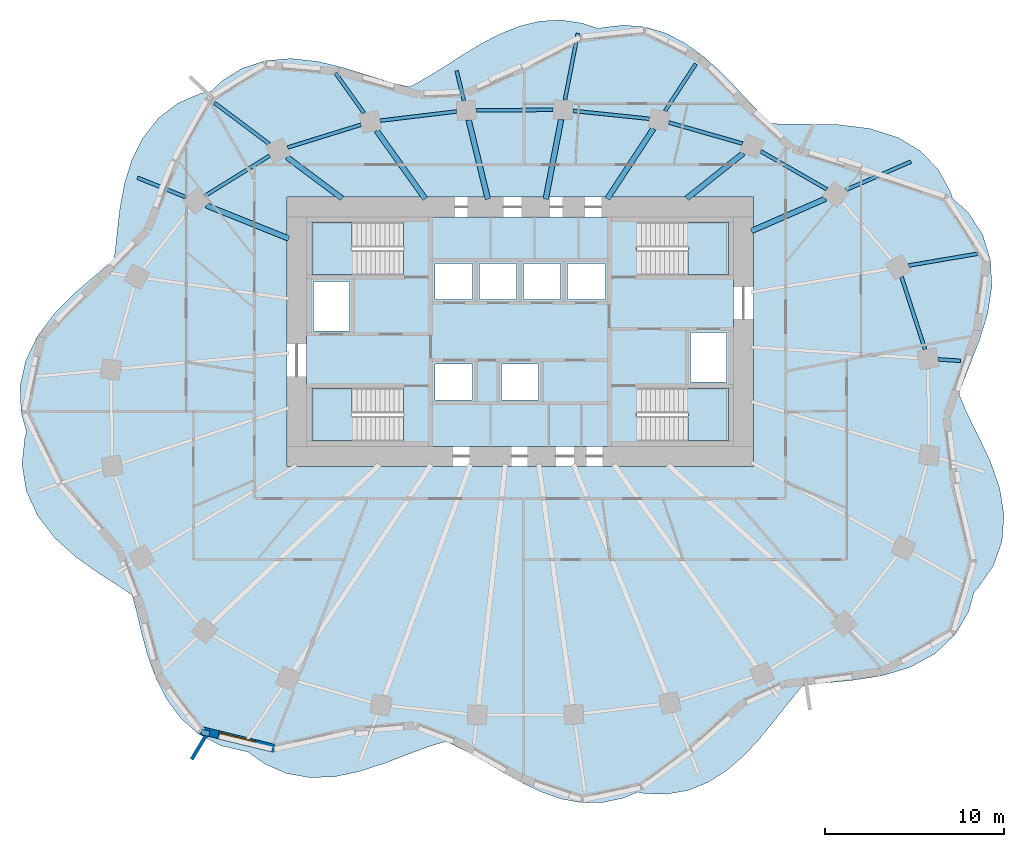
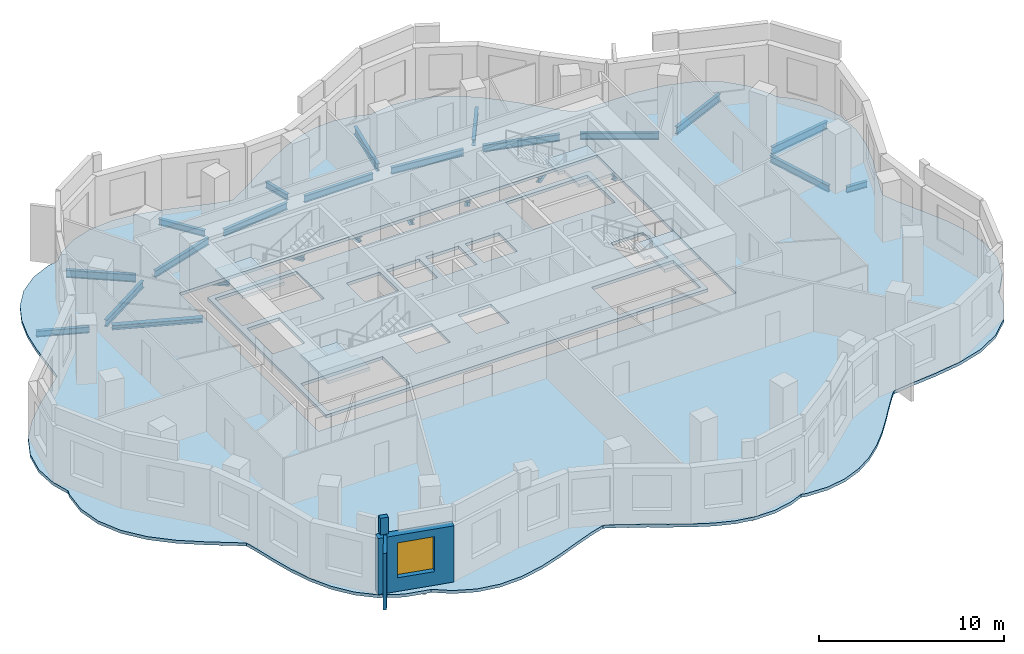
# One storey, part 2 of 10: 25 beams, 6 slabs, 3 walls, 1 window, 1 opening, 4 elements without a shape of their own.
"""IFC4 building model written with IfcOpenShell, lengths in metres."""

from ifc_helpers import new_model, si_unit, direction, frame, frame_2d, origin, origin_2d, place, context, subcontext, project, spatial, polyline, rectangle, i_section, outline, extrude, material, layer, layer_set, material_profile, profile_set, type_object, element, fill, aggregate, save


model = new_model("IFC4")

# Units and contexts
model_context = context("Model", 3, precision=1e-05, world=origin(), true_north=direction((0.0, 1.0)))
body_context = subcontext(model_context, "Body", "Model", "MODEL_VIEW")
ifc_project = project(units=[si_unit("LENGTHUNIT", "METRE"), si_unit("AREAUNIT", "SQUARE_METRE"), si_unit("VOLUMEUNIT", "CUBIC_METRE"), si_unit("PLANEANGLEUNIT", "RADIAN"), si_unit("MASSUNIT", "GRAM", prefix="KILO")], contexts=[model_context])

# Site, building, storey
site_placement = place(None, origin())
site = spatial("IfcSite", under=ifc_project, at=site_placement, CompositionType="ELEMENT")
building_placement = place(site_placement, origin())
building = spatial("IfcBuilding", under=site, at=building_placement, Name="Rubra Terraces Tower", CompositionType="ELEMENT")
storey_placement = place(building_placement, frame((0.0, 0.0, 153.89990234375)))
storey = spatial("IfcBuildingStorey", under=building, at=storey_placement, Name="L37", CompositionType="ELEMENT", Elevation=153.89990234375)

# Beams
ifc_material_1 = material(Name="Steel Q355B", Category="steel")
ifc_material_profile_1 = material_profile(ifc_material_1, i_section(OverallWidth=0.199951171875, OverallDepth=0.39990234375, WebThickness=0.008056640625, FlangeThickness=0.012939453125, at=origin_2d()), Name="HN 400x200x8x13")
ifc_profile_set_1 = profile_set([ifc_material_profile_1], Name="Steel Q355B")
beam_type_1 = type_object("IfcBeamType", Name="CANTILEVER BEAM HN 400x200x8x13", PredefinedType="BEAM", material=ifc_profile_set_1)
beam_1_placement = place(storey_placement, frame((8.076904296875, 16.803955078125, -0.39990234375), z_axis=(0.548937876401, 0.83586315139, 0.0), x_axis=(-0.83586315139, 0.548937876401, 0.0)))
element("IfcBeam", 1, at=beam_1_placement, inside=storey, type_object=beam_type_1, Name="beam-L37-cant-05", PredefinedType="BEAM", context=body_context, shape_type="SweptSolid", body=[
    extrude(i_section(OverallWidth=0.199951171875, OverallDepth=0.39990234375, WebThickness=0.008056640625, FlangeThickness=0.012939453125, at=origin_2d()), origin(), (0.0, 0.0, 1.0), 3.126220703125),
])
beam_2_placement = place(storey_placement, frame((-3.131103515625, 17.37890625, -0.39990234375), z_axis=(-0.23623101805, 0.971696920913, 0.0), x_axis=(-0.971696920913, -0.23623101805, 0.0)))
element("IfcBeam", 2, at=beam_2_placement, inside=storey, type_object=beam_type_1, Name="beam-L37-cant-07", PredefinedType="BEAM", context=body_context, shape_type="SweptSolid", body=[
    extrude(i_section(OverallWidth=0.199951171875, OverallDepth=0.39990234375, WebThickness=0.008056640625, FlangeThickness=0.012939453125, at=origin_2d()), origin(), (0.0, 0.0, 1.0), 1.705322265625),
])
beam_3_placement = place(storey_placement, frame((-8.695068359375, 16.679931640625, -0.39990234375), z_axis=(-0.581002903786, 0.813901484083, 0.0), x_axis=(-0.813901484083, -0.581002903786, 0.0)))
element("IfcBeam", 3, at=beam_3_placement, inside=storey, type_object=beam_type_1, Name="beam-L37-cant-08", PredefinedType="BEAM", context=body_context, shape_type="SweptSolid", body=[
    extrude(i_section(OverallWidth=0.199951171875, OverallDepth=0.39990234375, WebThickness=0.008056640625, FlangeThickness=0.012939453125, at=origin_2d()), origin(), (0.0, 0.0, 1.0), 2.74853515625),
])
beam_4_placement = place(storey_placement, frame((-18.6201171875, 11.991943359375, -0.39990234375), z_axis=(-0.927791895957, 0.373098107468, 0.0), x_axis=(-0.373098107468, -0.927791895957, 0.0)))
element("IfcBeam", 4, at=beam_4_placement, inside=storey, type_object=beam_type_1, Name="beam-L37-cant-10", PredefinedType="BEAM", context=body_context, shape_type="SweptSolid", body=[
    extrude(i_section(OverallWidth=0.199951171875, OverallDepth=0.39990234375, WebThickness=0.008056640625, FlangeThickness=0.012939453125, at=origin_2d()), origin(), (0.0, 0.0, 1.0), 2.907958984375),
])
ifc_material_profile_2 = material_profile(ifc_material_1, i_section(OverallWidth=0.198974609375, OverallDepth=0.49609375, WebThickness=0.009033203125, FlangeThickness=0.013916015625, at=origin_2d()), Name="HN 496x199x9x14")
ifc_profile_set_2 = profile_set([ifc_material_profile_2], Name="Steel Q355B")
beam_type_2 = type_object("IfcBeamType", Name="CANTILEVER BEAM HN 496x199x9x14", PredefinedType="BEAM", material=ifc_profile_set_2)
beam_5_placement = place(storey_placement, frame((21.656982421875, 8.18798828125, -0.447998046875), z_axis=(0.985806786827, 0.16788382604, 0.0), x_axis=(-0.16788382604, 0.985806786827, 0.0)))
element("IfcBeam", 5, at=beam_5_placement, inside=storey, type_object=beam_type_2, Name="beam-L37-cant-02", PredefinedType="BEAM", context=body_context, shape_type="SweptSolid", body=[
    extrude(i_section(OverallWidth=0.198974609375, OverallDepth=0.49609375, WebThickness=0.009033203125, FlangeThickness=0.013916015625, at=origin_2d()), origin(), (0.0, 0.0, 1.0), 3.88427734375),
])
beam_6_placement = place(storey_placement, frame((18.14990234375, 12.39697265625, -0.447998046875), z_axis=(0.916966850316, 0.398963401105, 0.0), x_axis=(-0.398963401105, 0.916966850316, 0.0)))
element("IfcBeam", 6, at=beam_6_placement, inside=storey, type_object=beam_type_2, Name="beam-L37-cant-03", PredefinedType="BEAM", context=body_context, shape_type="SweptSolid", body=[
    extrude(i_section(OverallWidth=0.198974609375, OverallDepth=0.49609375, WebThickness=0.009033203125, FlangeThickness=0.013916015625, at=origin_2d()), origin(), (0.0, 0.0, 1.0), 3.949951171875),
])
beam_7_placement = place(storey_placement, frame((2.498046875, 17.406982421875, -0.447998046875), z_axis=(0.189863542484, 0.981810488452, 0.0), x_axis=(-0.981810488452, 0.189863542484, 0.0)))
element("IfcBeam", 7, at=beam_7_placement, inside=storey, type_object=beam_type_2, Name="beam-L37-cant-06", PredefinedType="BEAM", context=body_context, shape_type="SweptSolid", body=[
    extrude(i_section(OverallWidth=0.198974609375, OverallDepth=0.49609375, WebThickness=0.009033203125, FlangeThickness=0.013916015625, at=origin_2d()), origin(), (0.0, 0.0, 1.0), 3.786865234375),
])
beam_8_placement = place(storey_placement, frame((-13.989013671875, 14.971923828125, -0.447998046875), z_axis=(-0.800563432958, 0.599248020281, 0.0), x_axis=(-0.599248020281, -0.800563432958, 0.0)))
element("IfcBeam", 8, at=beam_8_placement, inside=storey, type_object=beam_type_2, Name="beam-L37-cant-09", PredefinedType="BEAM", context=body_context, shape_type="SweptSolid", body=[
    extrude(i_section(OverallWidth=0.198974609375, OverallDepth=0.49609375, WebThickness=0.009033203125, FlangeThickness=0.013916015625, at=origin_2d()), origin(), (0.0, 0.0, 1.0), 3.79345703125),
])
ifc_material_profile_3 = material_profile(ifc_material_1, i_section(OverallWidth=0.199951171875, OverallDepth=0.39990234375, WebThickness=0.008056640625, FlangeThickness=0.012939453125, at=origin_2d()), Name="HN 400x200x8x13")
ifc_profile_set_3 = profile_set([ifc_material_profile_3], Name="Steel Q355B")
beam_type_3 = type_object("IfcBeamType", Name="CANTILEVER STUB HN 400x200x8x13", PredefinedType="BEAM", material=ifc_profile_set_3)
beam_9_placement = place(storey_placement, frame((23.298095703125, 2.9560546875, -0.39990234375), z_axis=(0.99781120572, -0.06612713316, 0.0), x_axis=(0.06612713316, 0.99781120572, 0.0)))
element("IfcBeam", 9, at=beam_9_placement, inside=storey, type_object=beam_type_3, Name="beam-L37-cant-01", PredefinedType="BEAM", context=body_context, shape_type="SweptSolid", body=[
    extrude(i_section(OverallWidth=0.199951171875, OverallDepth=0.39990234375, WebThickness=0.008056640625, FlangeThickness=0.012939453125, at=origin_2d()), origin(), (0.0, 0.0, 1.0), 1.240478515625),
])
ifc_material_profile_4 = material_profile(ifc_material_1, i_section(OverallWidth=0.304931640625, OverallDepth=0.300048828125, WebThickness=0.014892578125, FlangeThickness=0.014892578125, at=origin_2d()), Name="HW 300x305x15x15")
ifc_profile_set_4 = profile_set([ifc_material_profile_4], Name="Steel Q355B")
beam_type_4 = type_object("IfcBeamType", Name="FLOOR BEAM HW 300x305x15x15", PredefinedType="BEAM", material=ifc_profile_set_4)
beam_10_placement = place(storey_placement, frame((17.01806640625, 11.905029296875, -0.349853515625), z_axis=(-0.916965704309, -0.398966035047, 0.0), x_axis=(0.398966035047, -0.916965704309, 0.0)))
element("IfcBeam", 10, at=beam_10_placement, inside=storey, type_object=beam_type_4, Name="beam-L37-floor-03", PredefinedType="BEAM", context=body_context, shape_type="SweptSolid", body=[
    extrude(i_section(OverallWidth=0.304931640625, OverallDepth=0.300048828125, WebThickness=0.014892578125, FlangeThickness=0.014892578125, at=origin_2d()), origin(), (0.0, 0.0, 1.0), 4.501953125),
])
beam_11_placement = place(storey_placement, frame((12.43798828125, 14.44091796875, -0.349853515625), z_axis=(-0.781170160898, -0.624318171867, 0.0), x_axis=(0.624318171867, -0.781170160898, 0.0)))
element("IfcBeam", 11, at=beam_11_placement, inside=storey, type_object=beam_type_4, Name="beam-L37-floor-04", PredefinedType="BEAM", context=body_context, shape_type="SweptSolid", body=[
    extrude(i_section(OverallWidth=0.304931640625, OverallDepth=0.300048828125, WebThickness=0.014892578125, FlangeThickness=0.014892578125, at=origin_2d()), origin(), (0.0, 0.0, 1.0), 4.02978515625),
])
beam_12_placement = place(storey_placement, frame((7.425048828125, 15.81005859375, -0.349853515625), z_axis=(-0.548820601732, -0.835940157616, 0.0), x_axis=(0.835940157616, -0.548820601732, 0.0)))
element("IfcBeam", 12, at=beam_12_placement, inside=storey, type_object=beam_type_4, Name="beam-L37-floor-05", PredefinedType="BEAM", context=body_context, shape_type="SweptSolid", body=[
    extrude(i_section(OverallWidth=0.304931640625, OverallDepth=0.300048828125, WebThickness=0.014892578125, FlangeThickness=0.014892578125, at=origin_2d()), origin(), (0.0, 0.0, 1.0), 4.677490234375),
])
beam_13_placement = place(storey_placement, frame((2.285888671875, 16.31689453125, -0.349853515625), z_axis=(-0.189927794489, -0.981798061151, 0.0), x_axis=(0.981798061151, -0.189927794489, 0.0)))
element("IfcBeam", 13, at=beam_13_placement, inside=storey, type_object=beam_type_4, Name="beam-L37-floor-06", PredefinedType="BEAM", context=body_context, shape_type="SweptSolid", body=[
    extrude(i_section(OverallWidth=0.304931640625, OverallDepth=0.300048828125, WebThickness=0.014892578125, FlangeThickness=0.014892578125, at=origin_2d()), origin(), (0.0, 0.0, 1.0), 4.51708984375),
])
beam_14_placement = place(storey_placement, frame((-2.866943359375, 16.29296875, -0.349853515625), z_axis=(0.236214306521, -0.971700983531, 0.0), x_axis=(0.971700983531, 0.236214306521, 0.0)))
element("IfcBeam", 14, at=beam_14_placement, inside=storey, type_object=beam_type_4, Name="beam-L37-floor-07", PredefinedType="BEAM", context=body_context, shape_type="SweptSolid", body=[
    extrude(i_section(OverallWidth=0.304931640625, OverallDepth=0.300048828125, WebThickness=0.014892578125, FlangeThickness=0.014892578125, at=origin_2d()), origin(), (0.0, 0.0, 1.0), 4.538330078125),
])
beam_15_placement = place(storey_placement, frame((-7.9990234375, 15.7041015625, -0.349853515625), z_axis=(0.581010755177, -0.813895879317, 0.0), x_axis=(0.813895879317, 0.581010755177, 0.0)))
element("IfcBeam", 15, at=beam_15_placement, inside=storey, type_object=beam_type_4, Name="beam-L37-floor-08", PredefinedType="BEAM", context=body_context, shape_type="SweptSolid", body=[
    extrude(i_section(OverallWidth=0.304931640625, OverallDepth=0.300048828125, WebThickness=0.014892578125, FlangeThickness=0.014892578125, at=origin_2d()), origin(), (0.0, 0.0, 1.0), 4.67138671875),
])
beam_16_placement = place(storey_placement, frame((-12.985107421875, 14.219970703125, -0.349853515625), z_axis=(0.800566460925, -0.599243975057, 0.0), x_axis=(0.599243975057, 0.800566460925, 0.0)))
element("IfcBeam", 16, at=beam_16_placement, inside=storey, type_object=beam_type_4, Name="beam-L37-floor-09", PredefinedType="BEAM", context=body_context, shape_type="SweptSolid", body=[
    extrude(i_section(OverallWidth=0.304931640625, OverallDepth=0.300048828125, WebThickness=0.014892578125, FlangeThickness=0.014892578125, at=origin_2d()), origin(), (0.0, 0.0, 1.0), 3.82470703125),
])
beam_17_placement = place(storey_placement, frame((-17.48193359375, 11.533935546875, -0.349853515625), z_axis=(0.927730023822, -0.373251929533, 0.0), x_axis=(0.373251929533, 0.927730023822, 0.0)))
element("IfcBeam", 17, at=beam_17_placement, inside=storey, type_object=beam_type_4, Name="beam-L37-floor-10", PredefinedType="BEAM", context=body_context, shape_type="SweptSolid", body=[
    extrude(i_section(OverallWidth=0.304931640625, OverallDepth=0.300048828125, WebThickness=0.014892578125, FlangeThickness=0.014892578125, at=origin_2d()), origin(), (0.0, 0.0, 1.0), 4.950927734375),
])
ifc_material_profile_5 = material_profile(ifc_material_1, i_section(OverallWidth=0.198974609375, OverallDepth=0.446044921875, WebThickness=0.008056640625, FlangeThickness=0.011962890625, at=origin_2d()), Name="HN 446x199x8x12")
ifc_profile_set_5 = profile_set([ifc_material_profile_5], Name="Steel Q355B")
beam_type_5 = type_object("IfcBeamType", Name="SPANDREL BEAM HN 446x199x8x12", PredefinedType="SPANDREL", material=ifc_profile_set_5)
beam_18_placement = place(storey_placement, frame((22.56201171875, 3.52197265625, -0.4228515625), z_axis=(-0.308462461648, 0.951236516201, 0.0), x_axis=(-0.951236516201, -0.308462461648, 0.0)))
element("IfcBeam", 18, at=beam_18_placement, inside=storey, type_object=beam_type_5, Name="beam-L37-spandrel-01", PredefinedType="SPANDREL", context=body_context, shape_type="SweptSolid", body=[
    extrude(i_section(OverallWidth=0.198974609375, OverallDepth=0.446044921875, WebThickness=0.008056640625, FlangeThickness=0.011962890625, at=origin_2d()), origin(), (0.0, 0.0, 1.0), 4.24072265625),
])
beam_19_placement = place(storey_placement, frame((17.10009765625, 12.428955078125, -0.4228515625), z_axis=(-0.866560147027, 0.49907265161, 0.0), x_axis=(-0.49907265161, -0.866560147027, 0.0)))
element("IfcBeam", 19, at=beam_19_placement, inside=storey, type_object=beam_type_5, Name="beam-L37-spandrel-03", PredefinedType="SPANDREL", context=body_context, shape_type="SweptSolid", body=[
    extrude(i_section(OverallWidth=0.198974609375, OverallDepth=0.446044921875, WebThickness=0.008056640625, FlangeThickness=0.011962890625, at=origin_2d()), origin(), (0.0, 0.0, 1.0), 4.26171875),
])
beam_20_placement = place(storey_placement, frame((12.39404296875, 14.98388671875, -0.4228515625), z_axis=(-0.961693978406, 0.274125321518, 0.0), x_axis=(-0.274125321518, -0.961693978406, 0.0)))
element("IfcBeam", 20, at=beam_20_placement, inside=storey, type_object=beam_type_5, Name="beam-L37-spandrel-04", PredefinedType="SPANDREL", context=body_context, shape_type="SweptSolid", body=[
    extrude(i_section(OverallWidth=0.198974609375, OverallDepth=0.446044921875, WebThickness=0.008056640625, FlangeThickness=0.011962890625, at=origin_2d()), origin(), (0.0, 0.0, 1.0), 4.27587890625),
])
beam_21_placement = place(storey_placement, frame((7.201904296875, 16.364013671875, -0.4228515625), z_axis=(-0.994691190497, 0.102904983103, 0.0), x_axis=(-0.102904983103, -0.994691190497, 0.0)))
element("IfcBeam", 21, at=beam_21_placement, inside=storey, type_object=beam_type_5, Name="beam-L37-spandrel-05", PredefinedType="SPANDREL", context=body_context, shape_type="SweptSolid", body=[
    extrude(i_section(OverallWidth=0.198974609375, OverallDepth=0.446044921875, WebThickness=0.008056640625, FlangeThickness=0.011962890625, at=origin_2d()), origin(), (0.0, 0.0, 1.0), 4.28466796875),
])
beam_22_placement = place(storey_placement, frame((1.841064453125, 16.85888671875, -0.4228515625), z_axis=(-0.999989371096, -0.004610606731, 0.0), x_axis=(0.004610606731, -0.999989371096, 0.0)))
element("IfcBeam", 22, at=beam_22_placement, inside=storey, type_object=beam_type_5, Name="beam-L37-spandrel-06", PredefinedType="SPANDREL", context=body_context, shape_type="SweptSolid", body=[
    extrude(i_section(OverallWidth=0.198974609375, OverallDepth=0.446044921875, WebThickness=0.008056640625, FlangeThickness=0.011962890625, at=origin_2d()), origin(), (0.0, 0.0, 1.0), 4.2890625),
])
beam_23_placement = place(storey_placement, frame((-3.5458984375, 16.77001953125, -0.4228515625), z_axis=(-0.992833084949, -0.119509269223, 0.0), x_axis=(0.119509269223, -0.992833084949, 0.0)))
element("IfcBeam", 23, at=beam_23_placement, inside=storey, type_object=beam_type_5, Name="beam-L37-spandrel-07", PredefinedType="SPANDREL", context=body_context, shape_type="SweptSolid", body=[
    extrude(i_section(OverallWidth=0.198974609375, OverallDepth=0.446044921875, WebThickness=0.008056640625, FlangeThickness=0.011962890625, at=origin_2d()), origin(), (0.0, 0.0, 1.0), 4.283935546875),
])
beam_24_placement = place(storey_placement, frame((-8.8740234375, 16.028076171875, -0.4228515625), z_axis=(-0.955002801089, -0.296596780008, 0.0), x_axis=(0.296596780008, -0.955002801089, 0.0)))
element("IfcBeam", 24, at=beam_24_placement, inside=storey, type_object=beam_type_5, Name="beam-L37-spandrel-08", PredefinedType="SPANDREL", context=body_context, shape_type="SweptSolid", body=[
    extrude(i_section(OverallWidth=0.198974609375, OverallDepth=0.446044921875, WebThickness=0.008056640625, FlangeThickness=0.011962890625, at=origin_2d()), origin(), (0.0, 0.0, 1.0), 4.275390625),
])
beam_25_placement = place(storey_placement, frame((-13.9580078125, 14.303955078125, -0.4228515625), z_axis=(-0.849549830498, -0.527508374816, 0.0), x_axis=(0.527508374816, -0.849549830498, 0.0)))
element("IfcBeam", 25, at=beam_25_placement, inside=storey, type_object=beam_type_5, Name="beam-L37-spandrel-09", PredefinedType="SPANDREL", context=body_context, shape_type="SweptSolid", body=[
    extrude(i_section(OverallWidth=0.198974609375, OverallDepth=0.446044921875, WebThickness=0.008056640625, FlangeThickness=0.011962890625, at=origin_2d()), origin(), (0.0, 0.0, 1.0), 4.259765625),
])

# Slab
ifc_material_2 = material(Name="Concrete C40", Category="concrete")
ifc_layer_1 = layer(ifc_material_2, 0.199951171875)
ifc_layer_set_1 = layer_set([ifc_layer_1], Name="Concrete C40")
slab_type_1 = type_object("IfcSlabType", Name="Core floor slab 200 concrete", PredefinedType="FLOOR", material=ifc_layer_set_1)
slab_1_placement = place(storey_placement, frame((0.0, 0.0, -0.199951171875)))
element("IfcSlab", 26, at=slab_1_placement, inside=storey, type_object=slab_type_1, Name="CORE FLOOR SLAB L37", PredefinedType="FLOOR", context=body_context, shape_type="SweptSolid", body=[
    extrude(outline(polyline([(-11.89990234375, -1.89990234375), (-11.89990234375, 10.89990234375), (11.89990234375, 10.89990234375), (11.89990234375, -1.89990234375), (-11.89990234375, -1.89990234375)]), holes=[polyline([(11.597900390625, 1.347900390625), (6.501953125, 1.347900390625), (6.501953125, -1.597900390625), (11.597900390625, -1.597900390625), (11.597900390625, 1.347900390625)]), polyline([(11.597900390625, 7.652099609375), (11.597900390625, 10.597900390625), (6.501953125, 10.597900390625), (6.501953125, 7.652099609375), (11.597900390625, 7.652099609375)]), polyline([(9.5, 1.699951171875), (11.5, 1.699951171875), (11.5, 4.449951171875), (9.5, 4.449951171875), (9.5, 1.699951171875)]), polyline([(4.75, 6.300048828125), (4.75, 8.300048828125), (2.64990234375, 8.300048828125), (2.64990234375, 6.300048828125), (4.75, 6.300048828125)]), polyline([(2.25, 8.300048828125), (0.199951171875, 8.300048828125), (0.199951171875, 6.300048828125), (2.25, 6.300048828125), (2.25, 8.300048828125)]), polyline([(1.02490234375, 0.699951171875), (1.02490234375, 2.699951171875), (-1.02490234375, 2.699951171875), (-1.02490234375, 0.699951171875), (1.02490234375, 0.699951171875)]), polyline([(-0.199951171875, 6.300048828125), (-0.199951171875, 8.300048828125), (-2.25, 8.300048828125), (-2.25, 6.300048828125), (-0.199951171875, 6.300048828125)]), polyline([(-4.75, 8.300048828125), (-4.75, 6.300048828125), (-2.64990234375, 6.300048828125), (-2.64990234375, 8.300048828125), (-4.75, 8.300048828125)]), polyline([(-2.64990234375, 0.699951171875), (-2.64990234375, 2.699951171875), (-4.75, 2.699951171875), (-4.75, 0.699951171875), (-2.64990234375, 0.699951171875)]), polyline([(-11.597900390625, -1.597900390625), (-6.501953125, -1.597900390625), (-6.501953125, 1.347900390625), (-11.597900390625, 1.347900390625), (-11.597900390625, -1.597900390625)]), polyline([(-11.597900390625, 10.597900390625), (-11.597900390625, 7.652099609375), (-6.501953125, 7.652099609375), (-6.501953125, 10.597900390625), (-11.597900390625, 10.597900390625)]), polyline([(-9.5, 4.550048828125), (-9.5, 7.300048828125), (-11.5, 7.300048828125), (-11.5, 4.550048828125), (-9.5, 4.550048828125)])]), origin(), (0.0, 0.0, 1.0), 0.199951171875),
])

# Stair, slab
stair_type = type_object("IfcStairType", Name="Core stair 1400", PredefinedType="HALF_TURN_STAIR", material=ifc_material_2)
stair_1_placement = place(storey_placement, origin())
stair_1 = element("IfcStair", 27, at=stair_1_placement, inside=storey, type_object=stair_type, Name="L37 Exit stair S1", PredefinedType="HALF_TURN_STAIR")
ifc_layer_2 = layer(ifc_material_2, 0.199951171875)
ifc_layer_set_2 = layer_set([ifc_layer_2], Name="Concrete C40")
slab_type_2 = type_object("IfcSlabType", Name="Core stair landing 200", PredefinedType="LANDING", material=ifc_layer_set_2)
slab_2_placement = place(storey_placement, frame((0.0, 0.0, 1.75)))
slab_2 = element("IfcSlab", 28, at=slab_2_placement, type_object=slab_type_2, Name="S1 landing 1", PredefinedType="LANDING", context=body_context, shape_type="SweptSolid", body=[
    extrude(outline(polyline([(-8.97998046875, -0.199951171875), (-8.97998046875, -1.60009765625), (-9.360107421875, -1.60009765625), (-9.3798828125, -1.60009765625), (-11.60009765625, -1.60009765625), (-11.60009765625, 1.35009765625), (-9.3798828125, 1.35009765625), (-9.35791015625, 1.35009765625), (-9.35791015625, -0.050048828125), (-9.360107421875, -0.050048828125), (-9.360107421875, -0.199951171875), (-8.97998046875, -0.199951171875)])), origin(), (0.0, 0.0, 1.0), 0.2001953125),
])
aggregate(stair_1, [slab_2])

stair_2_placement = place(storey_placement, origin())
stair_2 = element("IfcStair", 29, at=stair_2_placement, inside=storey, type_object=stair_type, Name="L37 Exit stair S2", PredefinedType="HALF_TURN_STAIR")
slab_3_placement = place(storey_placement, frame((0.0, 0.0, 1.75)))
slab_3 = element("IfcSlab", 30, at=slab_3_placement, type_object=slab_type_2, Name="S2 landing 1", PredefinedType="LANDING", context=body_context, shape_type="SweptSolid", body=[
    extrude(outline(polyline([(-8.97998046875, 9.050048828125), (-8.97998046875, 7.64990234375), (-9.3798828125, 7.64990234375), (-11.60009765625, 7.64990234375), (-11.60009765625, 10.60009765625), (-9.3798828125, 10.60009765625), (-9.360107421875, 10.60009765625), (-9.35791015625, 10.60009765625), (-9.35791015625, 9.199951171875), (-9.360107421875, 9.199951171875), (-9.360107421875, 9.050048828125), (-8.97998046875, 9.050048828125)])), origin(), (0.0, 0.0, 1.0), 0.2001953125),
])
aggregate(stair_2, [slab_3])

stair_3_placement = place(storey_placement, origin())
stair_3 = element("IfcStair", 31, at=stair_3_placement, inside=storey, type_object=stair_type, Name="L37 Exit stair S3", PredefinedType="HALF_TURN_STAIR")
slab_4_placement = place(storey_placement, frame((0.0, 0.0, 1.75)))
slab_4 = element("IfcSlab", 32, at=slab_4_placement, type_object=slab_type_2, Name="S3 landing 1", PredefinedType="LANDING", context=body_context, shape_type="SweptSolid", body=[
    extrude(outline(polyline([(9.360107421875, 9.050048828125), (9.360107421875, 9.199951171875), (8.97998046875, 9.199951171875), (8.97998046875, 10.60009765625), (9.360107421875, 10.60009765625), (9.3798828125, 10.60009765625), (11.60009765625, 10.60009765625), (11.60009765625, 7.64990234375), (9.3798828125, 7.64990234375), (9.35791015625, 7.64990234375), (9.35791015625, 9.050048828125), (9.360107421875, 9.050048828125)])), origin(), (0.0, 0.0, 1.0), 0.2001953125),
])
aggregate(stair_3, [slab_4])

stair_4_placement = place(storey_placement, origin())
stair_4 = element("IfcStair", 33, at=stair_4_placement, inside=storey, type_object=stair_type, Name="L37 Exit stair S4", PredefinedType="HALF_TURN_STAIR")
slab_5_placement = place(storey_placement, frame((0.0, 0.0, 1.75)))
slab_5 = element("IfcSlab", 34, at=slab_5_placement, type_object=slab_type_2, Name="S4 landing 1", PredefinedType="LANDING", context=body_context, shape_type="SweptSolid", body=[
    extrude(outline(polyline([(9.360107421875, -0.199951171875), (9.360107421875, -0.050048828125), (8.97998046875, -0.050048828125), (8.97998046875, 1.35009765625), (9.360107421875, 1.35009765625), (9.3798828125, 1.35009765625), (11.60009765625, 1.35009765625), (11.60009765625, -1.60009765625), (9.3798828125, -1.60009765625), (9.360107421875, -1.60009765625), (9.35791015625, -1.60009765625), (9.35791015625, -0.199951171875), (9.360107421875, -0.199951171875)])), origin(), (0.0, 0.0, 1.0), 0.2001953125),
])
aggregate(stair_4, [slab_5])

# Slab
ifc_layer_3 = layer(ifc_material_2, 0.199951171875)
ifc_layer_set_3 = layer_set([ifc_layer_3], Name="Concrete C40")
slab_type_3 = type_object("IfcSlabType", Name="FLOOR SLAB 200 COMPOSITE", PredefinedType="FLOOR", material=ifc_layer_set_3)
slab_6_placement = place(storey_placement, frame((0.0, 0.0, -0.199951171875)))
element("IfcSlab", 35, at=slab_6_placement, inside=storey, type_object=slab_type_3, Name="FLOOR SLAB L37", PredefinedType="FLOOR", context=body_context, shape_type="SweptSolid", body=[
    extrude(outline(polyline([(-5.048095703125, -18.60888671875), (-4.14111328125, -18.340087890625), (-3.931884765625, -18.422119140625), (-2.991943359375, -18.889892578125), (-2.012939453125, -19.44091796875), (-1.013916015625, -20.02294921875), (0.0, -20.5869140625), (1.131103515625, -21.134033203125), (2.281005859375, -21.5400390625), (3.445068359375, -21.751953125), (4.596923828125, -21.739990234375), (5.73291015625, -21.5), (6.56201171875, -21.157958984375), (6.89892578125, -21.23291015625), (8.137939453125, -21.279052734375), (9.344970703125, -21.069091796875), (10.498046875, -20.60302734375), (11.498046875, -19.965087890625), (12.424072265625, -19.1708984375), (13.27392578125, -18.27001953125), (14.05908203125, -17.320068359375), (14.794921875, -16.381103515625), (15.506103515625, -15.506103515625), (15.75390625, -15.242919921875), (16.818115234375, -15.093994140625), (18.468994140625, -14.93701171875), (20.19189453125, -14.669921875), (21.739013671875, -14.201904296875), (23.134033203125, -13.43896484375), (24.260986328125, -12.362060546875), (24.98291015625, -11.135986328125), (25.31591796875, -9.965087890625), (25.468017578125, -9.8359375), (26.367919921875, -8.56689453125), (26.85693359375, -7.18896484375), (26.966064453125, -5.718017578125), (26.72998046875, -4.23388671875), (26.214111328125, -2.748046875), (25.550048828125, -1.343017578125), (24.883056640625, 0.0), (24.466064453125, 1.011962890625), (24.544921875, 1.305908203125), (25.05908203125, 2.64111328125), (25.614990234375, 4.056884765625), (26.06005859375, 5.510009765625), (26.291015625, 7.01806640625), (26.2109375, 8.51611328125), (25.76708984375, 9.925048828125), (24.9599609375, 11.156005859375), (24.094970703125, 11.927001953125), (24.011962890625, 12.235107421875), (23.31494140625, 13.51611328125), (22.318115234375, 14.55810546875), (21.076904296875, 15.31298828125), (19.4560546875, 15.825927734375), (17.7470703125, 16.032958984375), (16.06103515625, 16.06103515625), (14.5869140625, 16.06494140625), (13.9580078125, 16.114013671875), (14.306884765625, 15.7880859375), (13.486083984375, 16.553955078125), (12.658935546875, 17.424072265625), (11.868896484375, 18.27294921875), (11.032958984375, 19.117919921875), (10.14208984375, 19.905029296875), (9.14306640625, 20.613037109375), (8.0849609375, 21.14990234375), (6.97900390625, 21.47900390625), (5.77294921875, 21.5830078125), (4.552978515625, 21.43994140625), (4.367919921875, 21.385009765625), (3.43701171875, 21.697998046875), (2.2880859375, 21.867919921875), (1.136962890625, 21.80908203125), (0.0, 21.537109375), (-1.06689453125, 21.115966796875), (-2.1240234375, 20.571044921875), (-3.159912109375, 19.948974609375), (-4.10400390625, 19.344970703125), (-5.02587890625, 18.76611328125), (-5.930908203125, 18.2529296875), (-6.173095703125, 18.14208984375), (-7.123046875, 18.365966796875), (-8.426025390625, 18.77001953125), (-9.780029296875, 19.194091796875), (-11.27392578125, 19.56005859375), (-12.77490234375, 19.721923828125), (-14.23388671875, 19.592041015625), (-15.471923828125, 19.18310546875), (-16.589111328125, 18.493896484375), (-17.555908203125, 17.555908203125), (-17.217041015625, 17.885009765625), (-17.787109375, 17.787109375), (-19.06201171875, 17.238037109375), (-20.157958984375, 16.39111328125), (-21.032958984375, 15.281982421875), (-21.64404296875, 14.050048828125), (-22.053955078125, 12.718994140625), (-22.302978515625, 11.364013671875), (-22.466064453125, 9.93701171875), (-22.610107421875, 8.616943359375), (-22.625, 8.532958984375), (-23.623046875, 7.676025390625), (-24.782958984375, 6.68310546875), (-25.9169921875, 5.549072265625), (-26.887939453125, 4.259033203125), (-27.554931640625, 2.8779296875), (-27.867919921875, 1.43408203125), (-27.806884765625, 0.0), (-27.49609375, -1.10595703125), (-27.60400390625, -1.422119140625), (-27.758056640625, -2.89501953125), (-27.52001953125, -4.35888671875), (-26.89306640625, -5.7451171875), (-25.94091796875, -6.986083984375), (-24.77099609375, -8.048095703125), (-23.404052734375, -9.012939453125), (-22.091064453125, -9.84912109375), (-21.6201171875, -10.18310546875), (-21.419921875, -10.9140625), (-21.1298828125, -12.15087890625), (-20.782958984375, -13.4541015625), (-20.31689453125, -14.761962890625), (-19.697021484375, -15.98193359375), (-18.89697265625, -17.056884765625), (-17.919921875, -17.919921875), (-16.65087890625, -18.5810546875), (-15.242919921875, -18.908935546875), (-15.176025390625, -18.909912109375), (-14.23388671875, -19.591064453125), (-13.013916015625, -20.12109375), (-11.705078125, -20.35302734375), (-10.344970703125, -20.302978515625), (-8.930908203125, -20.007080078125), (-7.535888671875, -19.549072265625), (-6.18310546875, -19.029052734375), (-5.048095703125, -18.60888671875)]), holes=[polyline([(13.0, 12.0), (13.0, -3.0), (-13.0, -3.0), (-13.0, 12.0), (13.0, 12.0)])]), origin(), (0.0, 0.0, 1.0), 0.199951171875),
])

# Wall, opening, window
ifc_material_3 = material(Name="Brick masonry red-brown", Category="masonry")
ifc_layer_4 = layer(ifc_material_3, 0.449951171875)
ifc_layer_set_4 = layer_set([ifc_layer_4], Name="Brick masonry red-brown")
wall_type_1 = type_object("IfcWallType", Name="Brick facade wall 450", PredefinedType="SOLIDWALL", material=ifc_layer_set_4)
wall_1_placement = place(storey_placement, frame((-17.86669921875, -17.701416015625, 0.0), z_axis=(0.0, 0.0, 1.0), x_axis=(0.971546885012, -0.236847314156, 0.0)))
wall_1 = element("IfcWall", 36, at=wall_1_placement, inside=storey, type_object=wall_type_1, Name="Facade wall L37 bay 26", PredefinedType="SOLIDWALL", context=body_context, shape_type="SweptSolid", body=[
    extrude(rectangle(XDim=4.284912109375, YDim=0.449951171875, at=frame_2d((2.142578125, 0.0))), origin(), (0.0, 0.0, 1.0), 3.7001953125),
])
opening_placement = place(wall_1_placement, frame((1.092529296875, 0.0, 0.89990234375)))
opening = element("IfcOpeningElement", 37, at=opening_placement, cuts=wall_1, Name="Opening W1B", PredefinedType="OPENING", context=body_context, shape_type="SweptSolid", body=[
    extrude(rectangle(XDim=2.10009765625, YDim=2.300048828125, at=frame_2d((1.050048828125, 1.14990234375))), frame((0.0, 0.23486328125, 0.0), z_axis=(0.0, -1.0, 0.0), x_axis=(1.0, 0.0, 0.0)), (0.0, 0.0, 1.0), 0.469970703125),
])
ifc_material_4 = material(Name="Clear glass in aluminium frame", Category="aluminium")
window_type = type_object("IfcWindowType", Name="Fixed deep-set window tall storey 2100 x 2300", PartitioningType="SINGLE_PANEL", PredefinedType="WINDOW", material=ifc_material_4)
window_placement = place(opening_placement, origin())
window = element("IfcWindow", 38, at=window_placement, inside=storey, type_object=window_type, Name="Window L37 bay 26", OverallHeight=2.300048828125, OverallWidth=2.10009765625, PartitioningType="SINGLE_PANEL", PredefinedType="WINDOW", context=body_context, shape_type="SweptSolid", body=[
    extrude(rectangle(XDim=2.10009765625, YDim=2.300048828125, at=frame_2d((1.050048828125, 1.14990234375))), frame((0.0, 0.135009765625, 0.0), z_axis=(0.0, -1.0, 0.0), x_axis=(1.0, 0.0, 0.0)), (0.0, 0.0, 1.0), 0.06005859375),
])
fill(opening, window)

# Walls
ifc_layer_5 = layer(ifc_material_3, 0.300048828125)
ifc_layer_set_5 = layer_set([ifc_layer_5], Name="Brick masonry red-brown")
wall_type_2 = type_object("IfcWallType", Name="Brick parapet 300", PredefinedType="PARAPET", material=ifc_layer_set_5)
wall_2_placement = place(storey_placement, frame((-17.751708984375, -17.806640625, 3.900146484375), z_axis=(0.0, 0.0, 1.0), x_axis=(0.971563012878, -0.236781147912, 0.0)))
element("IfcWall", 39, at=wall_2_placement, inside=storey, type_object=wall_type_2, Name="Parapet L37 bay 26", PredefinedType="PARAPET", context=body_context, shape_type="SweptSolid", body=[
    extrude(rectangle(XDim=0.449462890625, YDim=0.300048828125, at=frame_2d((0.224609375, 0.0))), origin(), (0.0, 0.0, 1.0), 1.099853515625),
])
ifc_layer_6 = layer(ifc_material_3, 0.199951171875)
ifc_layer_set_6 = layer_set([ifc_layer_6], Name="Brick masonry red-brown")
wall_type_3 = type_object("IfcWallType", Name="Brick wind fin 200", PredefinedType="SOLIDWALL", material=ifc_layer_set_6)
wall_3_placement = place(storey_placement, frame((-17.406005859375, -17.8349609375, 0.0), z_axis=(0.0, 0.0, 1.0), x_axis=(-0.512648290506, -0.858598701514, 0.0)))
element("IfcWall", 40, at=wall_3_placement, inside=storey, type_object=wall_type_3, Name="Wind fin L37 13", PredefinedType="SOLIDWALL", context=body_context, shape_type="SweptSolid", body=[
    extrude(rectangle(XDim=1.750244140625, YDim=0.199951171875, at=frame_2d((0.875, 0.0))), origin(), (0.0, 0.0, 1.0), 3.7001953125),
])

save(model, "model.ifc")
